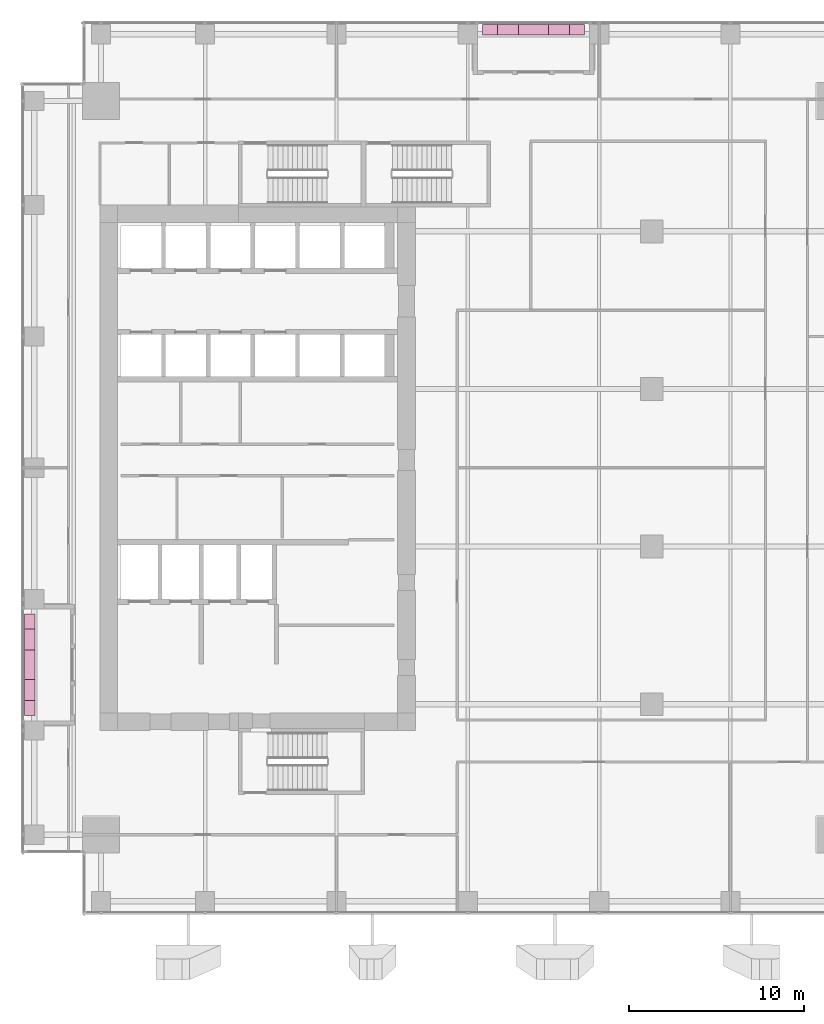
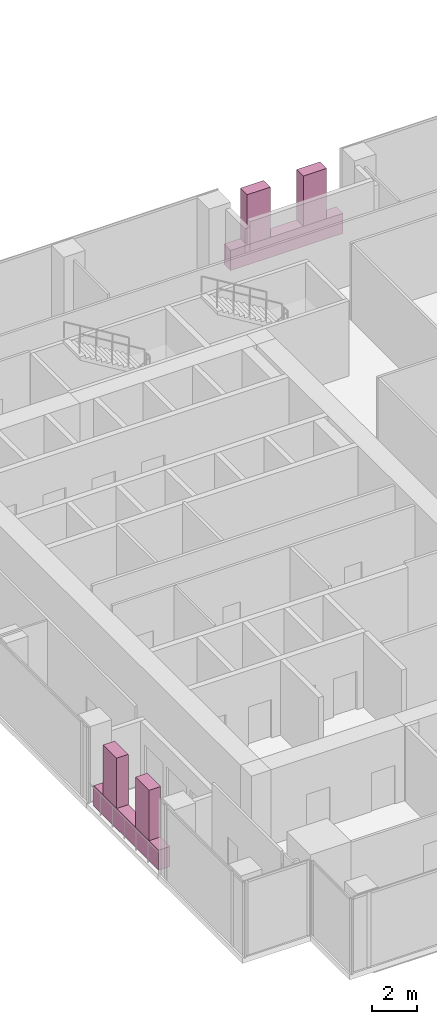
# One storey, part 35 of 35: 6 furnishings.
"""IFC4 building model written with IfcOpenShell, lengths in metres."""

from ifc_helpers import new_model, si_unit, direction, frame, origin, origin_2d, place, context, subcontext, project, spatial, rectangle, extrude, source, transform, mapped, material, type_object, element, save


model = new_model("IFC4")

# Units and contexts
model_context = context("Model", 3, precision=1e-05, world=origin(), true_north=direction((0.0, 1.0)))
body_context = subcontext(model_context, "Body", "Model", "MODEL_VIEW")
ifc_project = project(units=[si_unit("LENGTHUNIT", "METRE"), si_unit("AREAUNIT", "SQUARE_METRE"), si_unit("VOLUMEUNIT", "CUBIC_METRE"), si_unit("PLANEANGLEUNIT", "RADIAN"), si_unit("MASSUNIT", "GRAM", prefix="KILO")], contexts=[model_context])

# Site, building, storey
site_placement = place(None, origin())
site = spatial("IfcSite", under=ifc_project, at=site_placement, CompositionType="ELEMENT")
building_placement = place(site_placement, origin())
building = spatial("IfcBuilding", under=site, at=building_placement, Name="Khomas Fold Tower", CompositionType="ELEMENT")
storey_placement = place(building_placement, frame((0.0, 0.0, 119.10009765625)))
storey = spatial("IfcBuildingStorey", under=building, at=storey_placement, Name="L25", CompositionType="ELEMENT", Elevation=119.10009765625)

# Furnishings
ifc_material_1 = material(Name="Planting")
furnishing_element_type_1 = type_object("IfcFurnishingElementType", Name="BL-Tree Wild olive", material=ifc_material_1)
shared_shape_1 = source(origin(), body_context, "Body", "SweptSolid", [
    extrude(rectangle(XDim=1.199951171875, YDim=0.60009765625, at=origin_2d()), origin(), (0.0, 0.0, 1.0), 2.7451171875),
])
furnishing_1_placement = place(storey_placement, frame((29.300048828125, 52.0, 1.054931640625), z_axis=(0.0, 0.0, 1.0), x_axis=(1.0, 0.0, 0.0)))
element("IfcFurnishingElement", 1, at=furnishing_1_placement, inside=storey, type_object=furnishing_element_type_1, Name="PLANTER (TREE) Wild olive BAL-L25-N3-1", context=body_context, shape_type="MappedRepresentation", body=[
    mapped(shared_shape_1, transform((0.0, 0.0, 0.0))),
])
ifc_material_2 = material(Name="Planting")
furnishing_element_type_2 = type_object("IfcFurnishingElementType", Name="BL-Tree Shepherd's tree", material=ifc_material_2)
furnishing_2_placement = place(storey_placement, frame((32.199951171875, 52.0, 1.054931640625), z_axis=(0.0, 0.0, 1.0), x_axis=(1.0, 0.0, 0.0)))
element("IfcFurnishingElement", 2, at=furnishing_2_placement, inside=storey, type_object=furnishing_element_type_2, Name="PLANTER (TREE) Shepherd's tree BAL-L25-N3-2", context=body_context, shape_type="MappedRepresentation", body=[
    mapped(shared_shape_1, transform((0.0, 0.0, 0.0))),
])
furnishing_3_placement = place(storey_placement, frame((2.0, 14.300048828125, 1.054931640625), z_axis=(0.0, 0.0, 1.0), x_axis=(0.0, 1.0, 0.0)))
element("IfcFurnishingElement", 3, at=furnishing_3_placement, inside=storey, type_object=furnishing_element_type_1, Name="PLANTER (TREE) Wild olive BAL-L25-W1-1", context=body_context, shape_type="MappedRepresentation", body=[
    mapped(shared_shape_1, transform((0.0, 0.0, 0.0))),
])
furnishing_4_placement = place(storey_placement, frame((2.0, 17.199951171875, 1.054931640625), z_axis=(0.0, 0.0, 1.0), x_axis=(0.0, 1.0, 0.0)))
element("IfcFurnishingElement", 4, at=furnishing_4_placement, inside=storey, type_object=furnishing_element_type_2, Name="PLANTER (TREE) Shepherd's tree BAL-L25-W1-2", context=body_context, shape_type="MappedRepresentation", body=[
    mapped(shared_shape_1, transform((0.0, 0.0, 0.0))),
])
ifc_material_3 = material(Name="Precast concrete C40/50", Category="concrete")
furnishing_element_type_3 = type_object("IfcFurnishingElementType", Name="BL-Structural planter box", material=ifc_material_3)
shared_shape_2 = source(origin(), body_context, "Body", "SweptSolid", [
    extrude(rectangle(XDim=5.800048828125, YDim=0.60009765625, at=origin_2d()), origin(), (0.0, 0.0, 1.0), 1.10009765625),
])
for number, where, z_axis, x_axis, name in (
    (5, (30.75, 52.0, -0.045166015625), (0.0, 0.0, 1.0), (1.0, 0.0, 0.0), "PLANTER BAL-L25-N3"),
    (6, (2.0, 15.75, -0.045166015625), (0.0, 0.0, 1.0), (0.0, 1.0, 0.0), "PLANTER BAL-L25-W1"),
):
    element("IfcFurnishingElement", number, at=place(storey_placement, frame(where, z_axis=z_axis, x_axis=x_axis)), inside=storey, type_object=furnishing_element_type_3, Name=name, context=body_context, shape_type="MappedRepresentation", body=[
        mapped(shared_shape_2, transform((0.0, 0.0, 0.0))),
    ])

save(model, "model.ifc")
